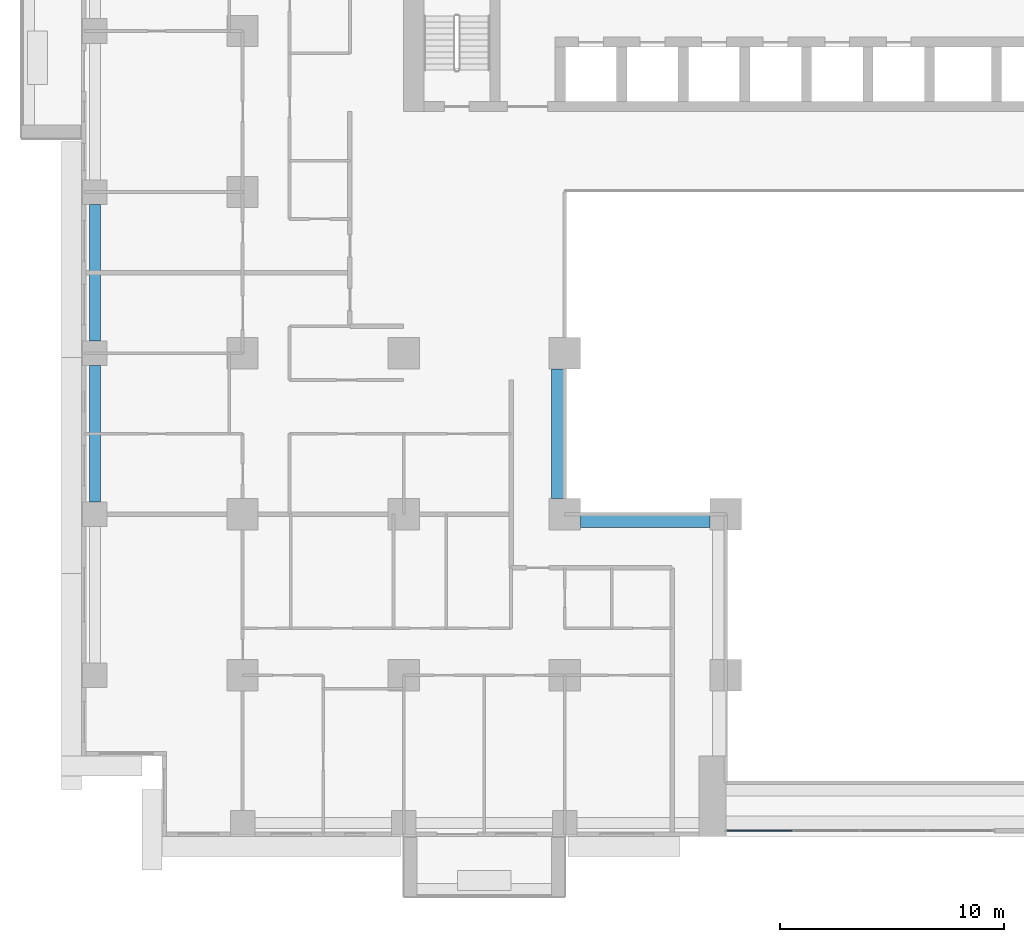
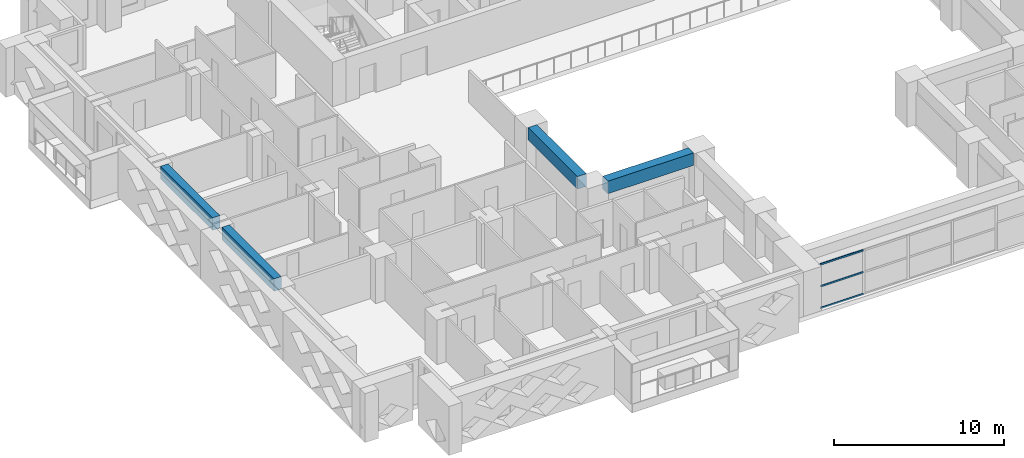
# One storey, part 3 of 17: 4 beams, 3 members, 1 element without a shape of its own.
"""IFC4 building model written with IfcOpenShell, lengths in metres."""

from ifc_helpers import new_model, si_unit, direction, frame, origin, origin_2d, place, context, subcontext, project, spatial, rectangle, extrude, source, transform, mapped, material, layer, layer_set, material_profile, profile_set, type_object, element, aggregate, save


model = new_model("IFC4")

# Units and contexts
model_context = context("Model", 3, precision=1e-05, world=origin(), true_north=direction((0.0, 1.0)))
body_context = subcontext(model_context, "Body", "Model", "MODEL_VIEW")
ifc_project = project(units=[si_unit("LENGTHUNIT", "METRE"), si_unit("AREAUNIT", "SQUARE_METRE"), si_unit("VOLUMEUNIT", "CUBIC_METRE"), si_unit("PLANEANGLEUNIT", "RADIAN"), si_unit("MASSUNIT", "GRAM", prefix="KILO")], contexts=[model_context])

# Site, building, storey
site_placement = place(None, origin())
site = spatial("IfcSite", under=ifc_project, at=site_placement, CompositionType="ELEMENT")
building_placement = place(site_placement, origin())
building = spatial("IfcBuilding", under=site, at=building_placement, Name="Saffron Iwan Residences", CompositionType="ELEMENT")
storey_placement = place(building_placement, frame((0.0, 0.0, 55.0)))
storey = spatial("IfcBuildingStorey", under=building, at=storey_placement, Name="L13", CompositionType="ELEMENT", Elevation=55.0)

# Beams
ifc_material_1 = material(Name="Concrete C60/75", Category="concrete")
ifc_material_profile_1 = material_profile(ifc_material_1, rectangle(XDim=0.5, YDim=0.89990234375, at=origin_2d()), Name="RC 500x900")
ifc_profile_set_1 = profile_set([ifc_material_profile_1], Name="Concrete C60/75")
beam_type_1 = type_object("IfcBeamType", Name="SPANDREL BEAM RC 500x900 C60/75 TOP 3180", PredefinedType="SPANDREL", material=ifc_profile_set_1)
shared_shape_1 = source(origin(), body_context, "Body", "SweptSolid", [
    extrude(rectangle(XDim=0.5, YDim=0.89990234375, at=origin_2d()), origin(), (0.0, 0.0, 1.0), 6.10009765625),
])
beam_1_placement = place(storey_placement, frame((15.0, 55.75, 2.72998046875), z_axis=(0.0, 1.0, 0.0), x_axis=(-1.0, 0.0, 0.0)))
element("IfcBeam", 1, at=beam_1_placement, inside=storey, type_object=beam_type_1, Name="Spandrel beam", PredefinedType="SPANDREL", context=body_context, shape_type="MappedRepresentation", body=[
    mapped(shared_shape_1, transform((0.0, 0.0, 0.0))),
])
shared_shape_2 = source(origin(), body_context, "Body", "SweptSolid", [
    extrude(rectangle(XDim=0.5, YDim=0.89990234375, at=origin_2d()), origin(), (0.0, 0.0, 1.0), 6.099853515625),
])
beam_2_placement = place(storey_placement, frame((15.0, 48.550048828125, 2.72998046875), z_axis=(0.0, 1.0, 0.0), x_axis=(-1.0, 0.0, 0.0)))
element("IfcBeam", 2, at=beam_2_placement, inside=storey, type_object=beam_type_1, Name="Spandrel beam", PredefinedType="SPANDREL", context=body_context, shape_type="MappedRepresentation", body=[
    mapped(shared_shape_2, transform((0.0, 0.0, 0.0))),
])
ifc_material_profile_2 = material_profile(ifc_material_1, rectangle(XDim=0.60009765625, YDim=0.89990234375, at=origin_2d()), Name="RC 600x900")
ifc_profile_set_2 = profile_set([ifc_material_profile_2], Name="Concrete C60/75")
beam_type_2 = type_object("IfcBeamType", Name="BEAM RC 600x900 C60/75 TOP 3180", PredefinedType="BEAM", material=ifc_profile_set_2)
shared_shape_3 = source(origin(), body_context, "Body", "SweptSolid", [
    extrude(rectangle(XDim=0.60009765625, YDim=0.89990234375, at=origin_2d()), origin(), (0.0, 0.0, 1.0), 5.800048828125),
])
for number, where, z_axis, x_axis, name in (
    (3, (42.5, 47.699951171875, 2.72998046875), (-1.0, 0.0, 0.0), (0.0, -1.0, 0.0), "Atrium edge beam"),
    (4, (35.699951171875, 48.699951171875, 2.72998046875), (0.0, 1.0, 0.0), (-1.0, 0.0, 0.0), "Atrium edge beam"),
):
    element("IfcBeam", number, at=place(storey_placement, frame(where, z_axis=z_axis, x_axis=x_axis)), inside=storey, type_object=beam_type_2, Name=name, PredefinedType="BEAM", context=body_context, shape_type="MappedRepresentation", body=[
        mapped(shared_shape_3, transform((0.0, 0.0, 0.0))),
    ])

# Curtain wall, members
ifc_material_2 = material(Name="Clear glass, laminated double glazed", Category="glass")
ifc_layer = layer(ifc_material_2, 0.199951171875)
ifc_layer_set = layer_set([ifc_layer], Name="Clear glass, laminated double glazed")
curtain_wall_type = type_object("IfcCurtainWallType", Name="CW-B IWAN PORTAL", PredefinedType="NOTDEFINED", material=ifc_layer_set)
curtain_wall_placement = place(storey_placement, origin())
curtain_wall = element("IfcCurtainWall", 5, at=curtain_wall_placement, inside=storey, type_object=curtain_wall_type, Name="Iwan portal glazing L13.1", PredefinedType="NOTDEFINED")
ifc_material_3 = material(Name="Aluminium 6063-T6", Category="aluminium")
ifc_material_profile_3 = material_profile(ifc_material_3, rectangle(XDim=0.06005859375, YDim=0.1201171875, at=origin_2d()), Name="CW-B TRANSOM 60 x 120")
ifc_profile_set_3 = profile_set([ifc_material_profile_3], Name="Aluminium 6063-T6")
member_type = type_object("IfcMemberType", Name="CW-B TRANSOM 60 x 120", PredefinedType="USERDEFINED", material=ifc_profile_set_3)
shared_shape_4 = source(origin(), body_context, "Body", "SweptSolid", [
    extrude(rectangle(XDim=0.06005859375, YDim=0.1201171875, at=origin_2d()), origin(), (0.0, 0.0, 1.0), 2.909912109375),
])
member_1_placement = place(storey_placement, frame((43.260009765625, 33.85009765625, 0.030029296875), z_axis=(1.0, 0.0, 0.0), x_axis=(0.0, 1.0, 0.0)))
member_1 = element("IfcMember", 6, at=member_1_placement, type_object=member_type, Name="CW-B transom 1.1", ObjectType="TRANSOM", PredefinedType="USERDEFINED", context=body_context, shape_type="MappedRepresentation", body=[
    mapped(shared_shape_4, transform((0.0, 0.0, 0.0))),
])
member_2_placement = place(storey_placement, frame((43.260009765625, 33.85009765625, 1.590087890625), z_axis=(1.0, 0.0, 0.0), x_axis=(0.0, 1.0, 0.0)))
member_2 = element("IfcMember", 7, at=member_2_placement, type_object=member_type, Name="CW-B transom 1.2", ObjectType="TRANSOM", PredefinedType="USERDEFINED", context=body_context, shape_type="MappedRepresentation", body=[
    mapped(shared_shape_4, transform((0.0, 0.0, 0.0))),
])
member_3_placement = place(storey_placement, frame((43.260009765625, 33.85009765625, 3.14990234375), z_axis=(1.0, 0.0, 0.0), x_axis=(0.0, 1.0, 0.0)))
member_3 = element("IfcMember", 8, at=member_3_placement, type_object=member_type, Name="CW-B transom 1.3", ObjectType="TRANSOM", PredefinedType="USERDEFINED", context=body_context, shape_type="MappedRepresentation", body=[
    mapped(shared_shape_4, transform((0.0, 0.0, 0.0))),
])
aggregate(curtain_wall, [member_1, member_2, member_3])

save(model, "model.ifc")
